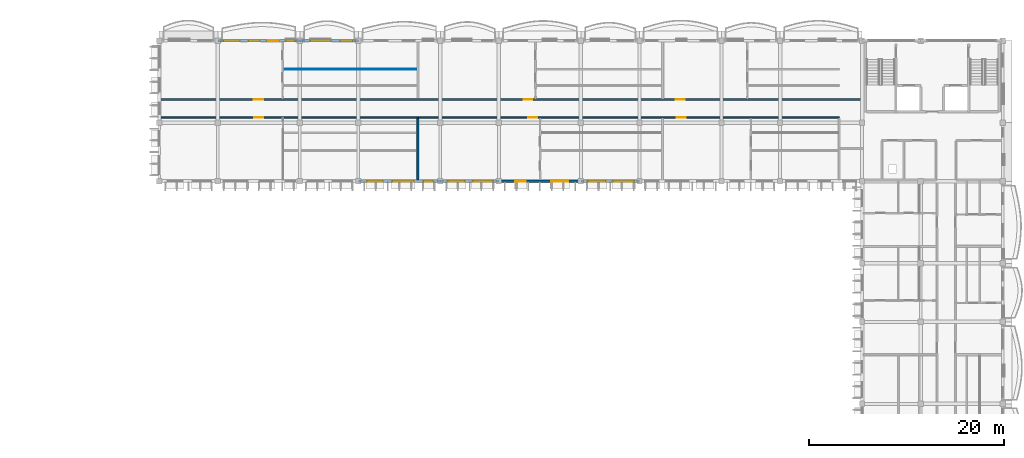
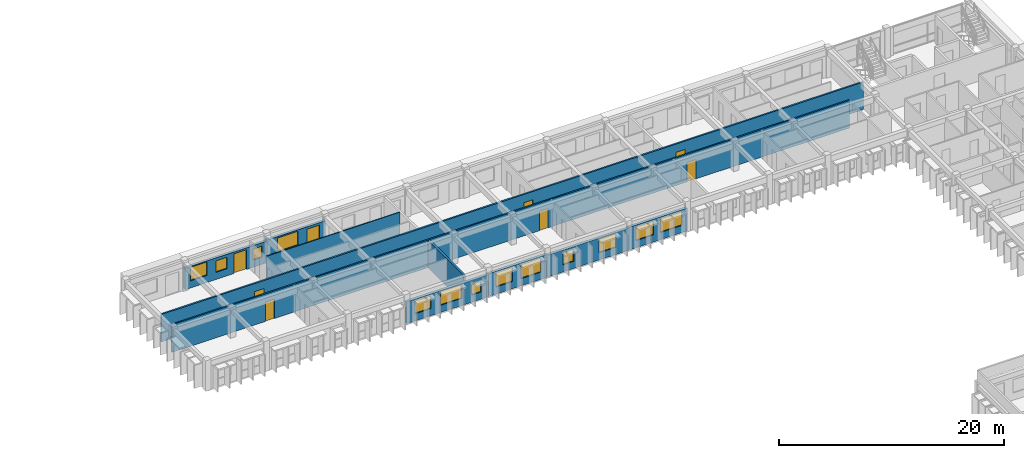
# One storey, part 23 of 59: 13 windows, 10 walls, 8 doors, 21 openings.
"""IFC4 building model written with IfcOpenShell, lengths in metres."""

from ifc_helpers import new_model, si_unit, direction, frame, frame_2d, origin, place, context, subcontext, project, spatial, rectangle, extrude, material, layer, layer_set, type_object, element, fill, save


model = new_model("IFC4")

# Units and contexts
model_context = context("Model", 3, precision=1e-05, world=origin(), true_north=direction((0.0, 1.0)))
body_context = subcontext(model_context, "Body", "Model", "MODEL_VIEW")
ifc_project = project(units=[si_unit("LENGTHUNIT", "METRE"), si_unit("AREAUNIT", "SQUARE_METRE"), si_unit("VOLUMEUNIT", "CUBIC_METRE"), si_unit("PLANEANGLEUNIT", "RADIAN"), si_unit("MASSUNIT", "GRAM", prefix="KILO"), si_unit("THERMODYNAMICTEMPERATUREUNIT", "KELVIN")], contexts=[model_context])

# Site, building, storey
site_placement = place(None, origin())
site = spatial("IfcSite", under=ifc_project, at=site_placement, CompositionType="ELEMENT")
building_placement = place(site_placement, origin())
building = spatial("IfcBuilding", under=site, at=building_placement, Name="Thalorik Housing Commons", CompositionType="ELEMENT")
storey_placement = place(building_placement, frame((0.0, 0.0, 27.89990234375)))
storey = spatial("IfcBuildingStorey", under=building, at=storey_placement, Name="L08", CompositionType="ELEMENT", Elevation=27.89990234375)

# Wall, openings, doors
ifc_material_1 = material(Name="Masonry fire-rated corridor wall", Category="masonry")
ifc_layer_1 = layer(ifc_material_1, 0.14990234375, Name="Masonry fire-rated corridor wall", Category="masonry")
ifc_layer_set_1 = layer_set([ifc_layer_1], Name="Masonry fire-rated corridor wall")
wall_type_1 = type_object("IfcWallType", Name="ARC-WAL-CORR-150", PredefinedType="PARTITIONING", material=ifc_layer_set_1)
wall_1_placement = place(storey_placement, frame((80.53955078125, 115.719970703125, 0.0), z_axis=(0.0, 0.0, 1.0), x_axis=(1.0, 0.0, 0.0)))
wall_1 = element("IfcWall", 1, at=wall_1_placement, inside=storey, type_object=wall_type_1, Name="L08 Block B N Corridor Wall 1", PredefinedType="PARTITIONING", context=body_context, shape_type="SweptSolid", body=[
    extrude(rectangle(XDim=69.510498046875, YDim=0.14990234375, at=frame_2d((34.75537109375, 0.0))), origin(), (0.0, 0.0, 1.0), 3.0),
])
opening_1_placement = place(wall_1_placement, frame((9.586669921875, 0.0, 0.0)))
opening_1 = element("IfcOpeningElement", 2, at=opening_1_placement, cuts=wall_1, Name="Opening ID-1352", PredefinedType="OPENING", context=body_context, shape_type="SweptSolid", body=[
    extrude(rectangle(XDim=0.919921875, YDim=2.10009765625, at=frame_2d((0.4599609375, 1.050048828125))), frame((0.0, 0.0849609375, 0.0), z_axis=(0.0, -1.0, 0.0), x_axis=(1.0, 0.0, 0.0)), (0.0, 0.0, 1.0), 0.169921875),
])
opening_2_placement = place(wall_1_placement, frame((37.680419921875, 0.0, 0.0)))
opening_2 = element("IfcOpeningElement", 3, at=opening_2_placement, cuts=wall_1, Name="Opening ID-1353", PredefinedType="OPENING", context=body_context, shape_type="SweptSolid", body=[
    extrude(rectangle(XDim=0.919921875, YDim=2.10009765625, at=frame_2d((0.4599609375, 1.050048828125))), frame((0.0, 0.0849609375, 0.0), z_axis=(0.0, -1.0, 0.0), x_axis=(1.0, 0.0, 0.0)), (0.0, 0.0, 1.0), 0.169921875),
])
opening_3_placement = place(wall_1_placement, frame((52.855712890625, 0.0, 0.0)))
opening_3 = element("IfcOpeningElement", 4, at=opening_3_placement, cuts=wall_1, Name="Opening ID-1354", PredefinedType="OPENING", context=body_context, shape_type="SweptSolid", body=[
    extrude(rectangle(XDim=0.919921875, YDim=2.10009765625, at=frame_2d((0.4599609375, 1.050048828125))), frame((0.0, 0.0849609375, 0.0), z_axis=(0.0, -1.0, 0.0), x_axis=(1.0, 0.0, 0.0)), (0.0, 0.0, 1.0), 0.169921875),
])
ifc_material_2 = material(Name="Solid core hardwood timber", Category="wood")
door_type_1 = type_object("IfcDoorType", Name="ARC-DR-FD30-920", OperationType="NOTDEFINED", PredefinedType="DOOR", material=ifc_material_2)
door_1_placement = place(opening_1_placement, origin())
door_1 = element("IfcDoor", 5, at=door_1_placement, inside=storey, type_object=door_type_1, Name="L08 Flat BN-1A Entrance Door", OperationType="SINGLE_SWING_LEFT", OverallHeight=2.10009765625, OverallWidth=0.919921875, PredefinedType="DOOR", context=body_context, shape_type="SweptSolid", body=[
    extrude(rectangle(XDim=0.919921875, YDim=2.10009765625, at=frame_2d((0.4599609375, 1.050048828125))), frame((0.0, 0.02490234375, 0.0), z_axis=(0.0, -1.0, 0.0), x_axis=(1.0, 0.0, 0.0)), (0.0, 0.0, 1.0), 0.050048828125),
])
fill(opening_1, door_1)
door_2_placement = place(opening_2_placement, origin())
door_2 = element("IfcDoor", 6, at=door_2_placement, inside=storey, type_object=door_type_1, Name="L08 Flat BN-2A Entrance Door", OperationType="SINGLE_SWING_RIGHT", OverallHeight=2.10009765625, OverallWidth=0.919921875, PredefinedType="DOOR", context=body_context, shape_type="SweptSolid", body=[
    extrude(rectangle(XDim=0.919921875, YDim=2.10009765625, at=frame_2d((0.4599609375, 1.050048828125))), frame((0.0, 0.02490234375, 0.0), z_axis=(0.0, -1.0, 0.0), x_axis=(1.0, 0.0, 0.0)), (0.0, 0.0, 1.0), 0.050048828125),
])
fill(opening_2, door_2)
door_3_placement = place(opening_3_placement, origin())
door_3 = element("IfcDoor", 7, at=door_3_placement, inside=storey, type_object=door_type_1, Name="L08 Flat BN-3A Entrance Door", OperationType="SINGLE_SWING_LEFT", OverallHeight=2.10009765625, OverallWidth=0.919921875, PredefinedType="DOOR", context=body_context, shape_type="SweptSolid", body=[
    extrude(rectangle(XDim=0.919921875, YDim=2.10009765625, at=frame_2d((0.4599609375, 1.050048828125))), frame((0.0, 0.02490234375, 0.0), z_axis=(0.0, -1.0, 0.0), x_axis=(1.0, 0.0, 0.0)), (0.0, 0.0, 1.0), 0.050048828125),
])
fill(opening_3, door_3)

ifc_layer_2 = layer(ifc_material_1, 0.1650390625, Name="Masonry fire-rated corridor wall", Category="masonry")
ifc_layer_set_2 = layer_set([ifc_layer_2], Name="Masonry fire-rated corridor wall")
wall_type_2 = type_object("IfcWallType", Name="ARC-WAL-CORR-165", PredefinedType="PARTITIONING", material=ifc_layer_set_2)
wall_2_placement = place(storey_placement, frame((80.53955078125, 117.580078125, 0.0), z_axis=(0.0, 0.0, 1.0), x_axis=(1.0, 0.0, 0.0)))
wall_2 = element("IfcWall", 8, at=wall_2_placement, inside=storey, type_object=wall_type_2, Name="L08 Block B N Corridor Wall 2", PredefinedType="PARTITIONING", context=body_context, shape_type="SweptSolid", body=[
    extrude(rectangle(XDim=72.00048828125, YDim=0.1650390625, at=frame_2d((36.000244140625, 0.0))), origin(), (0.0, 0.0, 1.0), 3.0),
])
opening_4_placement = place(wall_2_placement, frame((9.5625, 0.0, 0.0)))
opening_4 = element("IfcOpeningElement", 9, at=opening_4_placement, cuts=wall_2, Name="Opening ID-1355", PredefinedType="OPENING", context=body_context, shape_type="SweptSolid", body=[
    extrude(rectangle(XDim=0.9599609375, YDim=2.1201171875, at=frame_2d((0.47998046875, 1.06005859375))), frame((0.0, 0.092529296875, 0.0), z_axis=(0.0, -1.0, 0.0), x_axis=(1.0, 0.0, 0.0)), (0.0, 0.0, 1.0), 0.18505859375),
])
opening_5_placement = place(wall_2_placement, frame((37.17919921875, 0.0, 0.0)))
opening_5 = element("IfcOpeningElement", 10, at=opening_5_placement, cuts=wall_2, Name="Opening ID-1356", PredefinedType="OPENING", context=body_context, shape_type="SweptSolid", body=[
    extrude(rectangle(XDim=0.919921875, YDim=2.10009765625, at=frame_2d((0.4599609375, 1.050048828125))), frame((0.0, 0.092529296875, 0.0), z_axis=(0.0, -1.0, 0.0), x_axis=(1.0, 0.0, 0.0)), (0.0, 0.0, 1.0), 0.18505859375),
])
opening_6_placement = place(wall_2_placement, frame((52.799072265625, 0.0, 0.0)))
opening_6 = element("IfcOpeningElement", 11, at=opening_6_placement, cuts=wall_2, Name="Opening ID-1357", PredefinedType="OPENING", context=body_context, shape_type="SweptSolid", body=[
    extrude(rectangle(XDim=0.919921875, YDim=2.10009765625, at=frame_2d((0.4599609375, 1.050048828125))), frame((0.0, 0.092529296875, 0.0), z_axis=(0.0, -1.0, 0.0), x_axis=(1.0, 0.0, 0.0)), (0.0, 0.0, 1.0), 0.18505859375),
])
door_4_placement = place(opening_5_placement, origin())
door_4 = element("IfcDoor", 12, at=door_4_placement, inside=storey, type_object=door_type_1, Name="L08 Flat BN-2B Entrance Door", OperationType="SINGLE_SWING_LEFT", OverallHeight=2.10009765625, OverallWidth=0.919921875, PredefinedType="DOOR", context=body_context, shape_type="SweptSolid", body=[
    extrude(rectangle(XDim=0.919921875, YDim=2.10009765625, at=frame_2d((0.4599609375, 1.050048828125))), frame((0.0, 0.02490234375, 0.0), z_axis=(0.0, -1.0, 0.0), x_axis=(1.0, 0.0, 0.0)), (0.0, 0.0, 1.0), 0.050048828125),
])
fill(opening_5, door_4)
door_5_placement = place(opening_6_placement, origin())
door_5 = element("IfcDoor", 13, at=door_5_placement, inside=storey, type_object=door_type_1, Name="L08 Flat BN-3B Entrance Door", OperationType="SINGLE_SWING_RIGHT", OverallHeight=2.10009765625, OverallWidth=0.919921875, PredefinedType="DOOR", context=body_context, shape_type="SweptSolid", body=[
    extrude(rectangle(XDim=0.919921875, YDim=2.10009765625, at=frame_2d((0.4599609375, 1.050048828125))), frame((0.0, 0.02490234375, 0.0), z_axis=(0.0, -1.0, 0.0), x_axis=(1.0, 0.0, 0.0)), (0.0, 0.0, 1.0), 0.050048828125),
])
fill(opening_6, door_5)
door_type_2 = type_object("IfcDoorType", Name="ARC-DR-FD30-960", OperationType="NOTDEFINED", PredefinedType="DOOR", material=ifc_material_2)
door_6_placement = place(opening_4_placement, origin())
door_6 = element("IfcDoor", 14, at=door_6_placement, inside=storey, type_object=door_type_2, Name="L08 Flat BN-1B Entrance Door", OperationType="SINGLE_SWING_RIGHT", OverallHeight=2.1201171875, OverallWidth=0.9599609375, PredefinedType="DOOR", context=body_context, shape_type="SweptSolid", body=[
    extrude(rectangle(XDim=0.9599609375, YDim=2.1201171875, at=frame_2d((0.47998046875, 1.06005859375))), frame((0.0, 0.02490234375, 0.0), z_axis=(0.0, -1.0, 0.0), x_axis=(1.0, 0.0, 0.0)), (0.0, 0.0, 1.0), 0.050048828125),
])
fill(opening_4, door_6)

# Wall, openings, door, window
ifc_material_3 = material(Name="White precast concrete C40/50", Category="concrete")
ifc_layer_3 = layer(ifc_material_3, 0.27490234375, Name="White precast concrete C40/50", Category="concrete")
ifc_layer_set_3 = layer_set([ifc_layer_3], Name="White precast concrete C40/50")
wall_type_3 = type_object("IfcWallType", Name="ARC-WAL-EXT-275", PredefinedType="STANDARD", material=ifc_layer_set_3)
wall_3_placement = place(storey_placement, frame((100.800048828125, 123.60009765625, 0.0), z_axis=(0.0, 0.0, 1.0), x_axis=(-1.0, 0.0, 0.0)))
wall_3 = element("IfcWall", 15, at=wall_3_placement, inside=storey, type_object=wall_type_3, Name="L08 Exterior Wall WAL-EXT-L08-B-0682", PredefinedType="STANDARD", context=body_context, shape_type="SweptSolid", body=[
    extrude(rectangle(XDim=6.0, YDim=0.27490234375, at=frame_2d((3.0, 0.0))), origin(), (0.0, 0.0, 1.0), 2.445068359375),
])
opening_7_placement = place(wall_3_placement, frame((0.6201171875, 0.0, 0.0)))
opening_7 = element("IfcOpeningElement", 16, at=opening_7_placement, cuts=wall_3, Name="Opening ED-0229", PredefinedType="OPENING", context=body_context, shape_type="SweptSolid", body=[
    extrude(rectangle(XDim=1.25, YDim=2.199951171875, at=frame_2d((0.625, 1.10009765625))), frame((0.0, 0.1474609375, 0.0), z_axis=(0.0, -1.0, 0.0), x_axis=(1.0, 0.0, 0.0)), (0.0, 0.0, 1.0), 0.294921875),
])
opening_8_placement = place(wall_3_placement, frame((2.824951171875, 0.0, 0.780029296875)))
opening_8 = element("IfcOpeningElement", 17, at=opening_8_placement, cuts=wall_3, Name="Opening W-63", PredefinedType="OPENING", context=body_context, shape_type="SweptSolid", body=[
    extrude(rectangle(XDim=2.080078125, YDim=1.52001953125, at=frame_2d((1.0400390625, 0.760009765625))), frame((0.0, 0.1474609375, 0.0), z_axis=(0.0, -1.0, 0.0), x_axis=(1.0, 0.0, 0.0)), (0.0, 0.0, 1.0), 0.294921875),
])
ifc_material_4 = material(Name="Anodised aluminium and laminated safety glass", Category="aluminium")
door_type_3 = type_object("IfcDoorType", Name="ARC-DR-BAL-1250", OperationType="NOTDEFINED", PredefinedType="DOOR", material=ifc_material_4)
door_7_placement = place(opening_7_placement, frame((1.25, 0.0, 0.0), z_axis=(0.0, 0.0, 1.0), x_axis=(-1.0, 0.0, 0.0)))
door_7 = element("IfcDoor", 18, at=door_7_placement, inside=storey, type_object=door_type_3, Name="L08 Block B Balcony Glazed Door", OperationType="SINGLE_SWING_RIGHT", OverallHeight=2.199951171875, OverallWidth=1.25, PredefinedType="DOOR", context=body_context, shape_type="SweptSolid", body=[
    extrude(rectangle(XDim=1.25, YDim=2.199951171875, at=frame_2d((0.625, 1.10009765625))), frame((0.0, 0.02490234375, 0.0), z_axis=(0.0, -1.0, 0.0), x_axis=(1.0, 0.0, 0.0)), (0.0, 0.0, 1.0), 0.050048828125),
])
fill(opening_7, door_7)
ifc_material_5 = material(Name="Anodised aluminium and solar-control low-E glass", Category="aluminium")
window_type_1 = type_object("IfcWindowType", Name="ARC-WIN-63", PartitioningType="DOUBLE_PANEL_VERTICAL", PredefinedType="WINDOW", material=ifc_material_5)
window_1_placement = place(opening_8_placement, origin())
window_1 = element("IfcWindow", 19, at=window_1_placement, inside=storey, type_object=window_type_1, Name="L08 Facade Window 1244", OverallHeight=1.52001953125, OverallWidth=2.080078125, PartitioningType="DOUBLE_PANEL_VERTICAL", PredefinedType="WINDOW", context=body_context, shape_type="SweptSolid", body=[
    extrude(rectangle(XDim=2.080078125, YDim=1.52001953125, at=frame_2d((1.0400390625, 0.760009765625))), frame((0.0, 0.030029296875, 0.0), z_axis=(0.0, -1.0, 0.0), x_axis=(1.0, 0.0, 0.0)), (0.0, 0.0, 1.0), 0.06005859375),
])
fill(opening_8, window_1)

# Wall, openings, door, windows
wall_4_placement = place(storey_placement, frame((94.800048828125, 123.60009765625, 0.0), z_axis=(0.0, 0.0, 1.0), x_axis=(-1.0, 0.0, 0.0)))
wall_4 = element("IfcWall", 20, at=wall_4_placement, inside=storey, type_object=wall_type_3, Name="L08 Exterior Wall WAL-EXT-L08-B-0683", PredefinedType="STANDARD", context=body_context, shape_type="SweptSolid", body=[
    extrude(rectangle(XDim=8.400146484375, YDim=0.27490234375, at=frame_2d((4.2001953125, 0.0))), origin(), (0.0, 0.0, 1.0), 2.34521484375),
])
opening_9_placement = place(wall_4_placement, frame((2.078857421875, 0.0, 0.0)))
opening_9 = element("IfcOpeningElement", 21, at=opening_9_placement, cuts=wall_4, Name="Opening ED-0230", PredefinedType="OPENING", context=body_context, shape_type="SweptSolid", body=[
    extrude(rectangle(XDim=1.300048828125, YDim=2.14990234375, at=frame_2d((0.64990234375, 1.074951171875))), frame((0.0, 0.1474609375, 0.0), z_axis=(0.0, -1.0, 0.0), x_axis=(1.0, 0.0, 0.0)), (0.0, 0.0, 1.0), 0.294921875),
])
opening_10_placement = place(wall_4_placement, frame((0.519287109375, 0.0, 0.780029296875)))
opening_10 = element("IfcOpeningElement", 22, at=opening_10_placement, cuts=wall_4, Name="Opening W-01", PredefinedType="OPENING", context=body_context, shape_type="SweptSolid", body=[
    extrude(rectangle(XDim=0.89990234375, YDim=1.199951171875, at=frame_2d((0.449951171875, 0.60009765625))), frame((0.0, 0.1474609375, 0.0), z_axis=(0.0, -1.0, 0.0), x_axis=(1.0, 0.0, 0.0)), (0.0, 0.0, 1.0), 0.294921875),
])
opening_11_placement = place(wall_4_placement, frame((4.083984375, 0.0, 0.780029296875)))
opening_11 = element("IfcOpeningElement", 23, at=opening_11_placement, cuts=wall_4, Name="Opening W-45", PredefinedType="OPENING", context=body_context, shape_type="SweptSolid", body=[
    extrude(rectangle(XDim=1.14990234375, YDim=1.25, at=frame_2d((0.574951171875, 0.625))), frame((0.0, 0.1474609375, 0.0), z_axis=(0.0, -1.0, 0.0), x_axis=(1.0, 0.0, 0.0)), (0.0, 0.0, 1.0), 0.294921875),
])
opening_12_placement = place(wall_4_placement, frame((6.1396484375, 0.0, 0.780029296875)))
opening_12 = element("IfcOpeningElement", 24, at=opening_12_placement, cuts=wall_4, Name="Opening W-55", PredefinedType="OPENING", context=body_context, shape_type="SweptSolid", body=[
    extrude(rectangle(XDim=1.679931640625, YDim=1.4599609375, at=frame_2d((0.83984375, 0.72998046875))), frame((0.0, 0.1474609375, 0.0), z_axis=(0.0, -1.0, 0.0), x_axis=(1.0, 0.0, 0.0)), (0.0, 0.0, 1.0), 0.294921875),
])
door_type_4 = type_object("IfcDoorType", Name="ARC-DR-BAL-1300", OperationType="NOTDEFINED", PredefinedType="DOOR", material=ifc_material_4)
door_8_placement = place(opening_9_placement, frame((1.300048828125, 0.0, 0.0), z_axis=(0.0, 0.0, 1.0), x_axis=(-1.0, 0.0, 0.0)))
door_8 = element("IfcDoor", 25, at=door_8_placement, inside=storey, type_object=door_type_4, Name="L08 Block B Balcony Glazed Door", OperationType="SINGLE_SWING_LEFT", OverallHeight=2.14990234375, OverallWidth=1.300048828125, PredefinedType="DOOR", context=body_context, shape_type="SweptSolid", body=[
    extrude(rectangle(XDim=1.300048828125, YDim=2.14990234375, at=frame_2d((0.64990234375, 1.074951171875))), frame((0.0, 0.02490234375, 0.0), z_axis=(0.0, -1.0, 0.0), x_axis=(1.0, 0.0, 0.0)), (0.0, 0.0, 1.0), 0.050048828125),
])
fill(opening_9, door_8)
window_type_2 = type_object("IfcWindowType", Name="ARC-WIN-01", PartitioningType="SINGLE_PANEL", PredefinedType="WINDOW", material=ifc_material_5)
window_2_placement = place(opening_10_placement, origin())
window_2 = element("IfcWindow", 26, at=window_2_placement, inside=storey, type_object=window_type_2, Name="L08 Facade Window 1245", OverallHeight=1.199951171875, OverallWidth=0.89990234375, PartitioningType="SINGLE_PANEL", PredefinedType="WINDOW", context=body_context, shape_type="SweptSolid", body=[
    extrude(rectangle(XDim=0.89990234375, YDim=1.199951171875, at=frame_2d((0.449951171875, 0.60009765625))), frame((0.0, 0.030029296875, 0.0), z_axis=(0.0, -1.0, 0.0), x_axis=(1.0, 0.0, 0.0)), (0.0, 0.0, 1.0), 0.06005859375),
])
fill(opening_10, window_2)
window_type_3 = type_object("IfcWindowType", Name="ARC-WIN-45", PartitioningType="SINGLE_PANEL", PredefinedType="WINDOW", material=ifc_material_5)
window_3_placement = place(opening_11_placement, origin())
window_3 = element("IfcWindow", 27, at=window_3_placement, inside=storey, type_object=window_type_3, Name="L08 Facade Window 1246", OverallHeight=1.25, OverallWidth=1.14990234375, PartitioningType="SINGLE_PANEL", PredefinedType="WINDOW", context=body_context, shape_type="SweptSolid", body=[
    extrude(rectangle(XDim=1.14990234375, YDim=1.25, at=frame_2d((0.574951171875, 0.625))), frame((0.0, 0.030029296875, 0.0), z_axis=(0.0, -1.0, 0.0), x_axis=(1.0, 0.0, 0.0)), (0.0, 0.0, 1.0), 0.06005859375),
])
fill(opening_11, window_3)
window_type_4 = type_object("IfcWindowType", Name="ARC-WIN-55", PartitioningType="DOUBLE_PANEL_VERTICAL", PredefinedType="WINDOW", material=ifc_material_5)
window_4_placement = place(opening_12_placement, origin())
window_4 = element("IfcWindow", 28, at=window_4_placement, inside=storey, type_object=window_type_4, Name="L08 Facade Window 1247", OverallHeight=1.4599609375, OverallWidth=1.679931640625, PartitioningType="DOUBLE_PANEL_VERTICAL", PredefinedType="WINDOW", context=body_context, shape_type="SweptSolid", body=[
    extrude(rectangle(XDim=1.679931640625, YDim=1.4599609375, at=frame_2d((0.83984375, 0.72998046875))), frame((0.0, 0.030029296875, 0.0), z_axis=(0.0, -1.0, 0.0), x_axis=(1.0, 0.0, 0.0)), (0.0, 0.0, 1.0), 0.06005859375),
])
fill(opening_12, window_4)

# Wall, openings, windows
wall_5_placement = place(storey_placement, frame((100.800048828125, 109.199951171875, 0.0), z_axis=(0.0, 0.0, 1.0), x_axis=(1.0, 0.0, 0.0)))
wall_5 = element("IfcWall", 29, at=wall_5_placement, inside=storey, type_object=wall_type_3, Name="L08 Exterior Wall WAL-EXT-L08-B-0690", PredefinedType="STANDARD", context=body_context, shape_type="SweptSolid", body=[
    extrude(rectangle(XDim=8.39990234375, YDim=0.27490234375, at=frame_2d((4.199951171875, 0.0))), origin(), (0.0, 0.0, 1.0), 2.375),
])
opening_13_placement = place(wall_5_placement, frame((0.892578125, 0.0, 0.780029296875)))
opening_13 = element("IfcOpeningElement", 30, at=opening_13_placement, cuts=wall_5, Name="Opening W-54", PredefinedType="OPENING", context=body_context, shape_type="SweptSolid", body=[
    extrude(rectangle(XDim=1.6201171875, YDim=1.3798828125, at=frame_2d((0.81005859375, 0.68994140625))), frame((0.0, 0.1474609375, 0.0), z_axis=(0.0, -1.0, 0.0), x_axis=(1.0, 0.0, 0.0)), (0.0, 0.0, 1.0), 0.294921875),
])
opening_14_placement = place(wall_5_placement, frame((3.49755859375, 0.0, 0.780029296875)))
opening_14 = element("IfcOpeningElement", 31, at=opening_14_placement, cuts=wall_5, Name="Opening W-65", PredefinedType="OPENING", context=body_context, shape_type="SweptSolid", body=[
    extrude(rectangle(XDim=2.179931640625, YDim=1.47998046875, at=frame_2d((1.08984375, 0.739990234375))), frame((0.0, 0.1474609375, 0.0), z_axis=(0.0, -1.0, 0.0), x_axis=(1.0, 0.0, 0.0)), (0.0, 0.0, 1.0), 0.294921875),
])
opening_15_placement = place(wall_5_placement, frame((6.679931640625, 0.0, 0.780029296875)))
opening_15 = element("IfcOpeningElement", 32, at=opening_15_placement, cuts=wall_5, Name="Opening W-43", PredefinedType="OPENING", context=body_context, shape_type="SweptSolid", body=[
    extrude(rectangle(XDim=0.949951171875, YDim=1.14990234375, at=frame_2d((0.47509765625, 0.574951171875))), frame((0.0, 0.1474609375, 0.0), z_axis=(0.0, -1.0, 0.0), x_axis=(1.0, 0.0, 0.0)), (0.0, 0.0, 1.0), 0.294921875),
])
window_type_5 = type_object("IfcWindowType", Name="ARC-WIN-43", PartitioningType="SINGLE_PANEL", PredefinedType="WINDOW", material=ifc_material_5)
window_5_placement = place(opening_15_placement, origin())
window_5 = element("IfcWindow", 33, at=window_5_placement, inside=storey, type_object=window_type_5, Name="L08 Facade Window 1263", OverallHeight=1.14990234375, OverallWidth=0.949951171875, PartitioningType="SINGLE_PANEL", PredefinedType="WINDOW", context=body_context, shape_type="SweptSolid", body=[
    extrude(rectangle(XDim=0.949951171875, YDim=1.14990234375, at=frame_2d((0.47509765625, 0.574951171875))), frame((0.0, 0.030029296875, 0.0), z_axis=(0.0, -1.0, 0.0), x_axis=(1.0, 0.0, 0.0)), (0.0, 0.0, 1.0), 0.06005859375),
])
fill(opening_15, window_5)
window_type_6 = type_object("IfcWindowType", Name="ARC-WIN-54", PartitioningType="DOUBLE_PANEL_VERTICAL", PredefinedType="WINDOW", material=ifc_material_5)
window_6_placement = place(opening_13_placement, origin())
window_6 = element("IfcWindow", 34, at=window_6_placement, inside=storey, type_object=window_type_6, Name="L08 Facade Window 1261", OverallHeight=1.3798828125, OverallWidth=1.6201171875, PartitioningType="DOUBLE_PANEL_VERTICAL", PredefinedType="WINDOW", context=body_context, shape_type="SweptSolid", body=[
    extrude(rectangle(XDim=1.6201171875, YDim=1.3798828125, at=frame_2d((0.81005859375, 0.68994140625))), frame((0.0, 0.030029296875, 0.0), z_axis=(0.0, -1.0, 0.0), x_axis=(1.0, 0.0, 0.0)), (0.0, 0.0, 1.0), 0.06005859375),
])
fill(opening_13, window_6)
window_type_7 = type_object("IfcWindowType", Name="ARC-WIN-65", PartitioningType="DOUBLE_PANEL_VERTICAL", PredefinedType="WINDOW", material=ifc_material_5)
window_7_placement = place(opening_14_placement, origin())
window_7 = element("IfcWindow", 35, at=window_7_placement, inside=storey, type_object=window_type_7, Name="L08 Facade Window 1262", OverallHeight=1.47998046875, OverallWidth=2.179931640625, PartitioningType="DOUBLE_PANEL_VERTICAL", PredefinedType="WINDOW", context=body_context, shape_type="SweptSolid", body=[
    extrude(rectangle(XDim=2.179931640625, YDim=1.47998046875, at=frame_2d((1.08984375, 0.739990234375))), frame((0.0, 0.030029296875, 0.0), z_axis=(0.0, -1.0, 0.0), x_axis=(1.0, 0.0, 0.0)), (0.0, 0.0, 1.0), 0.06005859375),
])
fill(opening_14, window_7)

wall_6_placement = place(storey_placement, frame((109.199951171875, 109.199951171875, 0.0), z_axis=(0.0, 0.0, 1.0), x_axis=(1.0, 0.0, 0.0)))
wall_6 = element("IfcWall", 36, at=wall_6_placement, inside=storey, type_object=wall_type_3, Name="L08 Exterior Wall WAL-EXT-L08-B-0691", PredefinedType="STANDARD", context=body_context, shape_type="SweptSolid", body=[
    extrude(rectangle(XDim=6.0, YDim=0.27490234375, at=frame_2d((3.0, 0.0))), origin(), (0.0, 0.0, 1.0), 2.47509765625),
])
opening_16_placement = place(wall_6_placement, frame((0.77001953125, 0.0, 0.780029296875)))
opening_16 = element("IfcOpeningElement", 37, at=opening_16_placement, cuts=wall_6, Name="Opening W-56", PredefinedType="OPENING", context=body_context, shape_type="SweptSolid", body=[
    extrude(rectangle(XDim=1.719970703125, YDim=1.52001953125, at=frame_2d((0.85986328125, 0.760009765625))), frame((0.0, 0.1474609375, 0.0), z_axis=(0.0, -1.0, 0.0), x_axis=(1.0, 0.0, 0.0)), (0.0, 0.0, 1.0), 0.294921875),
])
opening_17_placement = place(wall_6_placement, frame((3.330078125, 0.0, 0.780029296875)))
opening_17 = element("IfcOpeningElement", 38, at=opening_17_placement, cuts=wall_6, Name="Opening W-63", PredefinedType="OPENING", context=body_context, shape_type="SweptSolid", body=[
    extrude(rectangle(XDim=2.080078125, YDim=1.52001953125, at=frame_2d((1.0400390625, 0.760009765625))), frame((0.0, 0.1474609375, 0.0), z_axis=(0.0, -1.0, 0.0), x_axis=(1.0, 0.0, 0.0)), (0.0, 0.0, 1.0), 0.294921875),
])
window_type_8 = type_object("IfcWindowType", Name="ARC-WIN-56", PartitioningType="DOUBLE_PANEL_VERTICAL", PredefinedType="WINDOW", material=ifc_material_5)
window_8_placement = place(opening_16_placement, origin())
window_8 = element("IfcWindow", 39, at=window_8_placement, inside=storey, type_object=window_type_8, Name="L08 Facade Window 1264", OverallHeight=1.52001953125, OverallWidth=1.719970703125, PartitioningType="DOUBLE_PANEL_VERTICAL", PredefinedType="WINDOW", context=body_context, shape_type="SweptSolid", body=[
    extrude(rectangle(XDim=1.719970703125, YDim=1.52001953125, at=frame_2d((0.85986328125, 0.760009765625))), frame((0.0, 0.030029296875, 0.0), z_axis=(0.0, -1.0, 0.0), x_axis=(1.0, 0.0, 0.0)), (0.0, 0.0, 1.0), 0.06005859375),
])
fill(opening_16, window_8)
window_9_placement = place(opening_17_placement, origin())
window_9 = element("IfcWindow", 40, at=window_9_placement, inside=storey, type_object=window_type_1, Name="L08 Facade Window 1265", OverallHeight=1.52001953125, OverallWidth=2.080078125, PartitioningType="DOUBLE_PANEL_VERTICAL", PredefinedType="WINDOW", context=body_context, shape_type="SweptSolid", body=[
    extrude(rectangle(XDim=2.080078125, YDim=1.52001953125, at=frame_2d((1.0400390625, 0.760009765625))), frame((0.0, 0.030029296875, 0.0), z_axis=(0.0, -1.0, 0.0), x_axis=(1.0, 0.0, 0.0)), (0.0, 0.0, 1.0), 0.06005859375),
])
fill(opening_17, window_9)

wall_7_placement = place(storey_placement, frame((115.199951171875, 109.199951171875, 0.0), z_axis=(0.0, 0.0, 1.0), x_axis=(1.0, 0.0, 0.0)))
wall_7 = element("IfcWall", 41, at=wall_7_placement, inside=storey, type_object=wall_type_3, Name="L08 Exterior Wall WAL-EXT-L08-B-0692", PredefinedType="STANDARD", context=body_context, shape_type="SweptSolid", body=[
    extrude(rectangle(XDim=8.400146484375, YDim=0.27490234375, at=frame_2d((4.2001953125, 0.0))), origin(), (0.0, 0.0, 1.0), 2.375),
])
opening_18_placement = place(wall_7_placement, frame((1.659912109375, 0.0, 0.780029296875)))
opening_18 = element("IfcOpeningElement", 42, at=opening_18_placement, cuts=wall_7, Name="Opening W-03", PredefinedType="OPENING", context=body_context, shape_type="SweptSolid", body=[
    extrude(rectangle(XDim=1.10009765625, YDim=1.300048828125, at=frame_2d((0.550048828125, 0.64990234375))), frame((0.0, 0.1474609375, 0.0), z_axis=(0.0, -1.0, 0.0), x_axis=(1.0, 0.0, 0.0)), (0.0, 0.0, 1.0), 0.294921875),
])
opening_19_placement = place(wall_7_placement, frame((5.344970703125, 0.0, 0.780029296875)))
opening_19 = element("IfcOpeningElement", 43, at=opening_19_placement, cuts=wall_7, Name="Opening W-17", PredefinedType="OPENING", context=body_context, shape_type="SweptSolid", body=[
    extrude(rectangle(XDim=1.75, YDim=1.449951171875, at=frame_2d((0.875, 0.72509765625))), frame((0.0, 0.1474609375, 0.0), z_axis=(0.0, -1.0, 0.0), x_axis=(1.0, 0.0, 0.0)), (0.0, 0.0, 1.0), 0.294921875),
])
window_type_9 = type_object("IfcWindowType", Name="ARC-WIN-03", PartitioningType="SINGLE_PANEL", PredefinedType="WINDOW", material=ifc_material_5)
window_10_placement = place(opening_18_placement, origin())
window_10 = element("IfcWindow", 44, at=window_10_placement, inside=storey, type_object=window_type_9, Name="L08 Facade Window 1266", OverallHeight=1.300048828125, OverallWidth=1.10009765625, PartitioningType="SINGLE_PANEL", PredefinedType="WINDOW", context=body_context, shape_type="SweptSolid", body=[
    extrude(rectangle(XDim=1.10009765625, YDim=1.300048828125, at=frame_2d((0.550048828125, 0.64990234375))), frame((0.0, 0.030029296875, 0.0), z_axis=(0.0, -1.0, 0.0), x_axis=(1.0, 0.0, 0.0)), (0.0, 0.0, 1.0), 0.06005859375),
])
fill(opening_18, window_10)
window_type_10 = type_object("IfcWindowType", Name="ARC-WIN-17", PartitioningType="DOUBLE_PANEL_VERTICAL", PredefinedType="WINDOW", material=ifc_material_5)
window_11_placement = place(opening_19_placement, origin())
window_11 = element("IfcWindow", 45, at=window_11_placement, inside=storey, type_object=window_type_10, Name="L08 Facade Window 1267", OverallHeight=1.449951171875, OverallWidth=1.75, PartitioningType="DOUBLE_PANEL_VERTICAL", PredefinedType="WINDOW", context=body_context, shape_type="SweptSolid", body=[
    extrude(rectangle(XDim=1.75, YDim=1.449951171875, at=frame_2d((0.875, 0.72509765625))), frame((0.0, 0.030029296875, 0.0), z_axis=(0.0, -1.0, 0.0), x_axis=(1.0, 0.0, 0.0)), (0.0, 0.0, 1.0), 0.06005859375),
])
fill(opening_19, window_11)

wall_8_placement = place(storey_placement, frame((123.60009765625, 109.199951171875, 0.0), z_axis=(0.0, 0.0, 1.0), x_axis=(1.0, 0.0, 0.0)))
wall_8 = element("IfcWall", 46, at=wall_8_placement, inside=storey, type_object=wall_type_3, Name="L08 Exterior Wall WAL-EXT-L08-B-0693", PredefinedType="STANDARD", context=body_context, shape_type="SweptSolid", body=[
    extrude(rectangle(XDim=6.0, YDim=0.27490234375, at=frame_2d((3.0, 0.0))), origin(), (0.0, 0.0, 1.0), 2.47509765625),
])
opening_20_placement = place(wall_8_placement, frame((0.719970703125, 0.0, 0.780029296875)))
opening_20 = element("IfcOpeningElement", 47, at=opening_20_placement, cuts=wall_8, Name="Opening W-58", PredefinedType="OPENING", context=body_context, shape_type="SweptSolid", body=[
    extrude(rectangle(XDim=1.820068359375, YDim=1.4599609375, at=frame_2d((0.91015625, 0.72998046875))), frame((0.0, 0.1474609375, 0.0), z_axis=(0.0, -1.0, 0.0), x_axis=(1.0, 0.0, 0.0)), (0.0, 0.0, 1.0), 0.294921875),
])
opening_21_placement = place(wall_8_placement, frame((3.280029296875, 0.0, 0.780029296875)))
opening_21 = element("IfcOpeningElement", 48, at=opening_21_placement, cuts=wall_8, Name="Opening W-65", PredefinedType="OPENING", context=body_context, shape_type="SweptSolid", body=[
    extrude(rectangle(XDim=2.179931640625, YDim=1.47998046875, at=frame_2d((1.08984375, 0.739990234375))), frame((0.0, 0.1474609375, 0.0), z_axis=(0.0, -1.0, 0.0), x_axis=(1.0, 0.0, 0.0)), (0.0, 0.0, 1.0), 0.294921875),
])
window_type_11 = type_object("IfcWindowType", Name="ARC-WIN-58", PartitioningType="DOUBLE_PANEL_VERTICAL", PredefinedType="WINDOW", material=ifc_material_5)
window_12_placement = place(opening_20_placement, origin())
window_12 = element("IfcWindow", 49, at=window_12_placement, inside=storey, type_object=window_type_11, Name="L08 Facade Window 1268", OverallHeight=1.4599609375, OverallWidth=1.820068359375, PartitioningType="DOUBLE_PANEL_VERTICAL", PredefinedType="WINDOW", context=body_context, shape_type="SweptSolid", body=[
    extrude(rectangle(XDim=1.820068359375, YDim=1.4599609375, at=frame_2d((0.91015625, 0.72998046875))), frame((0.0, 0.030029296875, 0.0), z_axis=(0.0, -1.0, 0.0), x_axis=(1.0, 0.0, 0.0)), (0.0, 0.0, 1.0), 0.06005859375),
])
fill(opening_20, window_12)
window_13_placement = place(opening_21_placement, origin())
window_13 = element("IfcWindow", 50, at=window_13_placement, inside=storey, type_object=window_type_7, Name="L08 Facade Window 1269", OverallHeight=1.47998046875, OverallWidth=2.179931640625, PartitioningType="DOUBLE_PANEL_VERTICAL", PredefinedType="WINDOW", context=body_context, shape_type="SweptSolid", body=[
    extrude(rectangle(XDim=2.179931640625, YDim=1.47998046875, at=frame_2d((1.08984375, 0.739990234375))), frame((0.0, 0.030029296875, 0.0), z_axis=(0.0, -1.0, 0.0), x_axis=(1.0, 0.0, 0.0)), (0.0, 0.0, 1.0), 0.06005859375),
])
fill(opening_21, window_13)

# Walls
ifc_material_6 = material(Name="Gypsum light stud partition", Category="masonry")
ifc_layer_4 = layer(ifc_material_6, 0.10009765625, Name="Gypsum light stud partition", Category="masonry")
ifc_layer_set_4 = layer_set([ifc_layer_4], Name="Gypsum light stud partition")
wall_type_4 = type_object("IfcWallType", Name="ARC-WAL-PART-100", PredefinedType="PARTITIONING", material=ifc_layer_set_4)
wall_9_placement = place(storey_placement, frame((93.110595703125, 120.67919921875, 0.0), z_axis=(0.0, 0.0, 1.0), x_axis=(1.0, 0.0, 0.0)))
element("IfcWall", 51, at=wall_9_placement, inside=storey, type_object=wall_type_4, Name="L08 Unit 1B Bedroom Partition", PredefinedType="PARTITIONING", context=body_context, shape_type="SweptSolid", body=[
    extrude(rectangle(XDim=13.677490234375, YDim=0.10009765625, at=frame_2d((6.8388671875, 0.0))), origin(), (0.0, 0.0, 1.0), 3.0),
])
ifc_material_7 = material(Name="Precast concrete C40/50 acoustic wall", Category="concrete")
ifc_layer_5 = layer(ifc_material_7, 0.199951171875, Name="Precast concrete C40/50 acoustic wall", Category="concrete")
ifc_layer_set_5 = layer_set([ifc_layer_5], Name="Precast concrete C40/50 acoustic wall")
wall_type_5 = type_object("IfcWallType", Name="ARC-WAL-PARTY-200", PredefinedType="PARTITIONING", material=ifc_layer_set_5)
wall_10_placement = place(storey_placement, frame((106.89990234375, 109.339599609375, 0.0), z_axis=(0.0, 0.0, 1.0), x_axis=(0.0, 1.0, 0.0)))
element("IfcWall", 52, at=wall_10_placement, inside=storey, type_object=wall_type_5, Name="L08 Inter-Tenancy Wall 1A", PredefinedType="PARTITIONING", context=body_context, shape_type="SweptSolid", body=[
    extrude(rectangle(XDim=6.303466796875, YDim=0.199951171875, at=frame_2d((3.15185546875, 0.0))), origin(), (0.0, 0.0, 1.0), 3.0),
])

save(model, "model.ifc")
